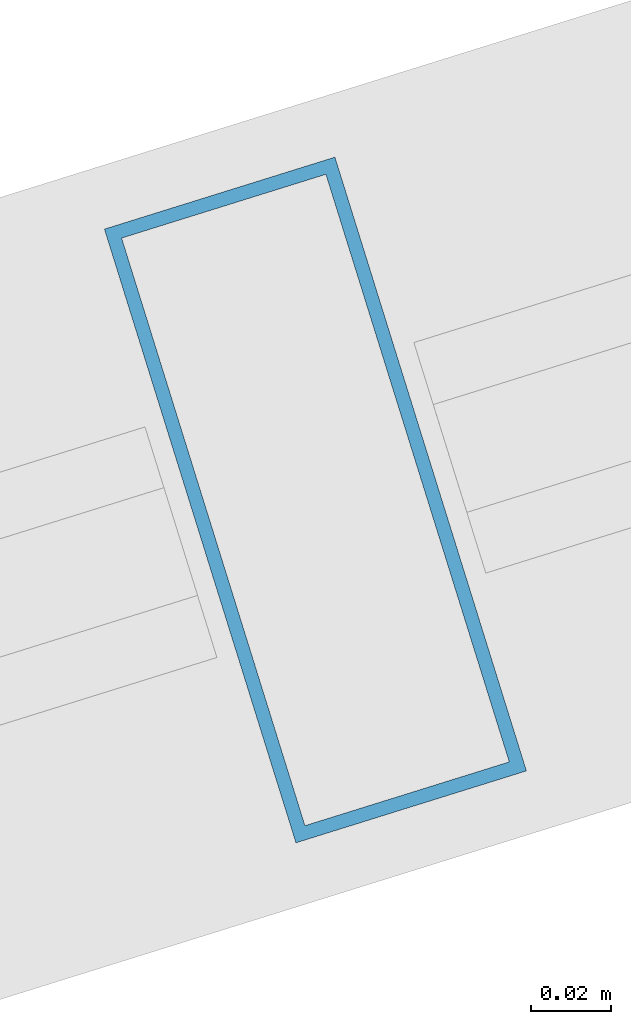
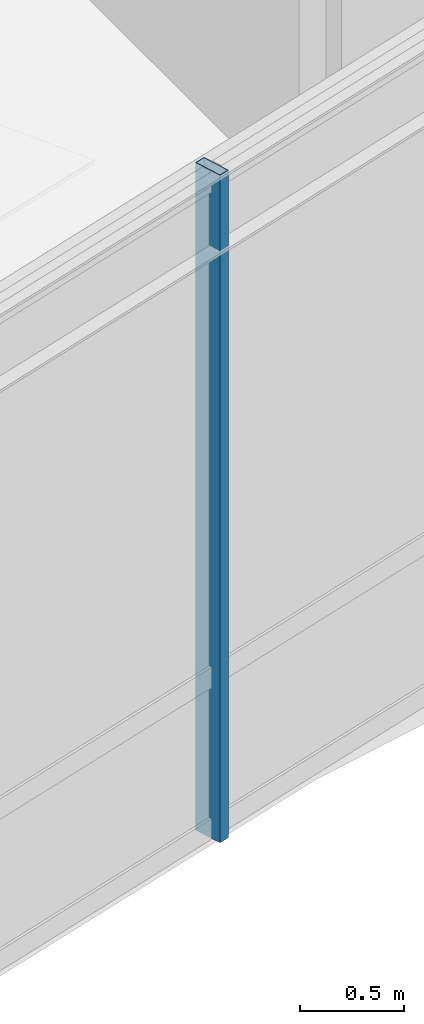
# One storey, part 32 of 78: 1 member, 1 element without a shape of its own.
"""IFC4 building model written with IfcOpenShell, lengths in metres."""

from ifc_helpers import new_model, si_unit, direction, frame, origin, origin_2d, place, context, subcontext, project, spatial, hollow_rectangle, extrude, material, material_profile, profile_set, type_object, element, aggregate, save


model = new_model("IFC4")

# Units and contexts
model_context = context("Model", 3, precision=1e-05, world=origin(), true_north=direction((0.0, 1.0)))
body_context = subcontext(model_context, "Body", "Model", "MODEL_VIEW")
ifc_project = project(units=[si_unit("LENGTHUNIT", "METRE"), si_unit("AREAUNIT", "SQUARE_METRE"), si_unit("VOLUMEUNIT", "CUBIC_METRE"), si_unit("PLANEANGLEUNIT", "RADIAN"), si_unit("MASSUNIT", "GRAM", prefix="KILO"), si_unit("THERMODYNAMICTEMPERATUREUNIT", "KELVIN"), si_unit("POWERUNIT", "WATT")], contexts=[model_context])

# Site, building, storey
site_placement = place(None, origin())
site = spatial("IfcSite", under=ifc_project, at=site_placement, CompositionType="ELEMENT")
building_placement = place(site_placement, origin())
building = spatial("IfcBuilding", under=site, at=building_placement, Name="Darbajah Civic Hall", CompositionType="ELEMENT")
storey_placement = place(building_placement, frame((0.0, 0.0, 26.39990234375)))
storey = spatial("IfcBuildingStorey", under=building, at=storey_placement, Name="L06", CompositionType="ELEMENT", Elevation=26.39990234375)

# Curtain wall, member
ifc_material_1 = material(Name="Anodised Bronze Aluminium and Low-E Glazing", Category="aluminium")
curtain_wall_type = type_object("IfcCurtainWallType", Name="Unitised Curtain Wall CW-67 11700x3900", PredefinedType="USERDEFINED", material=ifc_material_1)
curtain_wall_placement = place(storey_placement, origin())
curtain_wall = element("IfcCurtainWall", 1, at=curtain_wall_placement, inside=storey, type_object=curtain_wall_type, Name="L06 unitised curtain wall CW-V1I-L06-06", ObjectType="UNITISED CURTAIN WALL", PredefinedType="USERDEFINED")
ifc_material_2 = material(Name="Anodised Bronze Aluminium", Category="aluminium")
ifc_material_profile = material_profile(ifc_material_2, hollow_rectangle(XDim=0.06005859375, YDim=0.159912109375, WallThickness=0.00341796875, at=origin_2d()), Name="ALU MULLION 60x160")
ifc_profile_set = profile_set([ifc_material_profile], Name="Anodised Bronze Aluminium")
member_type = type_object("IfcMemberType", Name="ALU MULLION 60x160", PredefinedType="MULLION", material=ifc_profile_set)
member_placement = place(storey_placement, frame((68.363525390625, 109.162353515625, 0.0), z_axis=(0.0, 0.0, 1.0), x_axis=(-0.954604963513, -0.297874744877, 0.0)))
member = element("IfcMember", 2, at=member_placement, type_object=member_type, Name="CW-V1I-L06-06 mullion 2", PredefinedType="MULLION", context=body_context, shape_type="SweptSolid", body=[
    extrude(hollow_rectangle(XDim=0.06005859375, YDim=0.159912109375, WallThickness=0.00341796875, at=origin_2d()), origin(), (0.0, 0.0, 1.0), 3.920166015625),
])
aggregate(curtain_wall, [member])

save(model, "model.ifc")
